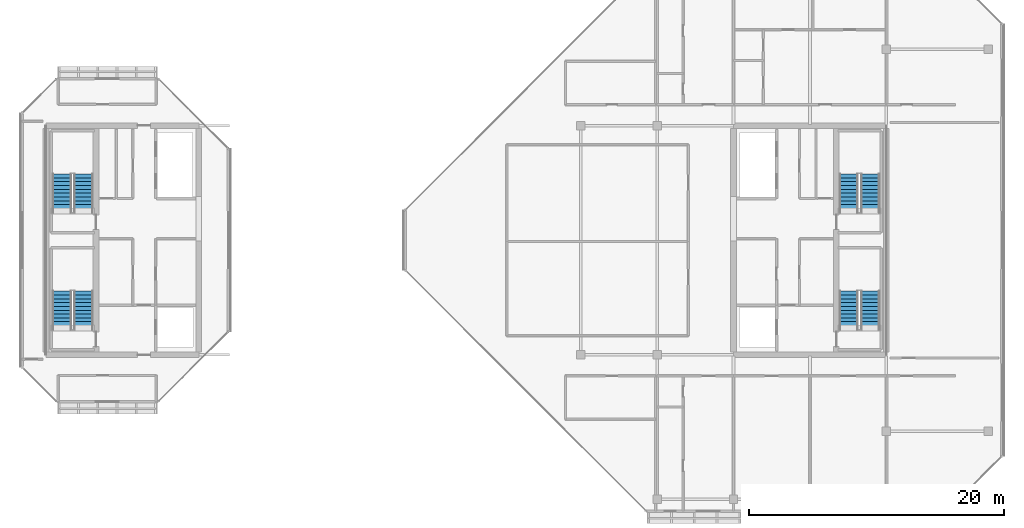
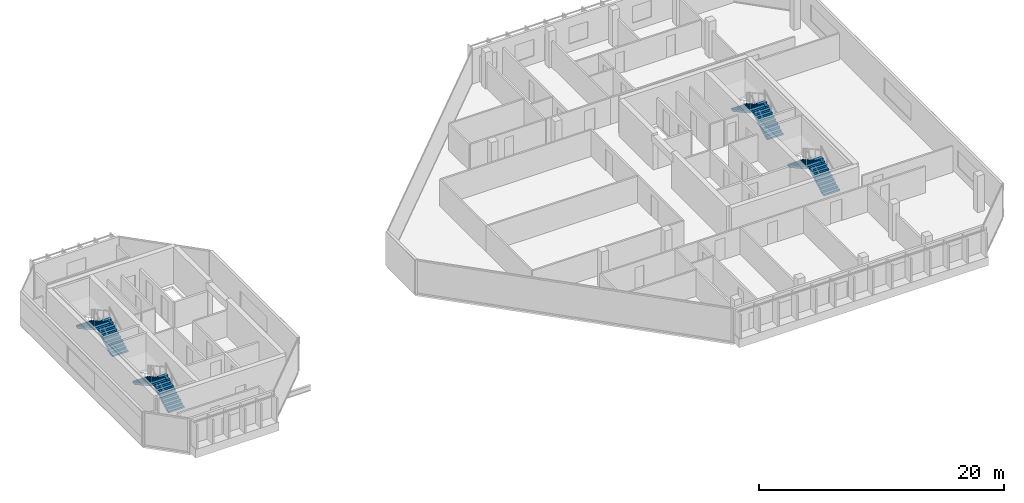
# One storey, part 25 of 28: 8 stair flights, 4 elements without a shape of their own.
"""IFC4 building model written with IfcOpenShell, lengths in metres."""

from ifc_helpers import new_model, si_unit, direction, frame, origin, place, context, subcontext, project, spatial, polyline, outline, extrude, material, type_object, element, aggregate, save


model = new_model("IFC4")

# Units and contexts
model_context = context("Model", 3, precision=1e-05, world=origin(), true_north=direction((0.0, 1.0)))
body_context = subcontext(model_context, "Body", "Model", "MODEL_VIEW")
ifc_project = project(units=[si_unit("LENGTHUNIT", "METRE"), si_unit("AREAUNIT", "SQUARE_METRE"), si_unit("VOLUMEUNIT", "CUBIC_METRE"), si_unit("PLANEANGLEUNIT", "RADIAN"), si_unit("MASSUNIT", "GRAM", prefix="KILO")], contexts=[model_context])

# Site, building, storey
site_placement = place(None, origin())
site = spatial("IfcSite", under=ifc_project, at=site_placement, CompositionType="ELEMENT")
building_placement = place(site_placement, origin())
building = spatial("IfcBuilding", under=site, at=building_placement, Name="Tanjung Sevakor Pilgrim Tower", CompositionType="ELEMENT")
storey_placement = place(building_placement, frame((0.0, 0.0, 242.550048828125)))
storey = spatial("IfcBuildingStorey", under=building, at=storey_placement, Name="L68", CompositionType="ELEMENT", Elevation=242.550048828125)

# Stair, stair flights
ifc_material_1 = material(Name="Concrete C40/50", Category="concrete")
stair_type = type_object("IfcStairType", Name="STAIR-ST-CR150", PredefinedType="HALF_TURN_STAIR", material=ifc_material_1)
stair_1_placement = place(storey_placement, origin())
stair_1 = element("IfcStair", 1, at=stair_1_placement, inside=storey, type_object=stair_type, Name="L68 West Core Exit Stair 1", PredefinedType="HALF_TURN_STAIR")
ifc_material_2 = material(Name="Concrete C40/50", Category="concrete")
stair_flight_type = type_object("IfcStairFlightType", Name="FLIGHT-ST-CR150", PredefinedType="STRAIGHT", material=ifc_material_2)
stair_flight_1_placement = place(storey_placement, frame((26.949951171875, 26.60009765625, 0.0), z_axis=(0.0, 0.0, 1.0), x_axis=(0.0, 1.0, 0.0)))
stair_flight_1 = element("IfcStairFlight", 2, at=stair_flight_1_placement, type_object=stair_flight_type, Name="TS-W1 flight 1", NumberOfRisers=11, NumberOfTreads=10, PredefinedType="STRAIGHT", RiserHeight=0.165, TreadLength=0.3, context=body_context, shape_type="SweptSolid", body=[
    extrude(outline(polyline([(0.0, 0.0), (0.0, 0.1650390625), (0.300048828125, 0.1650390625), (0.300048828125, 0.330078125), (0.60009765625, 0.330078125), (0.60009765625, 0.4951171875), (0.89990234375, 0.4951171875), (0.89990234375, 0.659912109375), (1.199951171875, 0.659912109375), (1.199951171875, 0.824951171875), (1.5, 0.824951171875), (1.5, 0.989990234375), (1.800048828125, 0.989990234375), (1.800048828125, 1.155029296875), (2.10009765625, 1.155029296875), (2.10009765625, 1.320068359375), (2.39990234375, 1.320068359375), (2.39990234375, 1.485107421875), (2.699951171875, 1.485107421875), (2.699951171875, 1.64990234375), (3.0, 1.64990234375), (3.0, 1.81494140625), (3.0, 1.467529296875), (0.331787109375, 0.0), (0.0, 0.0)])), frame((0.0, 0.75, 0.0), z_axis=(0.0, -1.0, 0.0), x_axis=(1.0, 0.0, 0.0)), (0.0, 0.0, 1.0), 1.5),
])
stair_flight_2_placement = place(storey_placement, frame((25.25, 29.60009765625, 1.81494140625), z_axis=(0.0, 0.0, 1.0), x_axis=(0.0, -1.0, 0.0)))
stair_flight_2 = element("IfcStairFlight", 3, at=stair_flight_2_placement, type_object=stair_flight_type, Name="TS-W1 flight 2", NumberOfRisers=11, NumberOfTreads=10, PredefinedType="STRAIGHT", RiserHeight=0.165, TreadLength=0.3, context=body_context, shape_type="SweptSolid", body=[
    extrude(outline(polyline([(0.0, 0.0), (0.0, 0.1650390625), (0.300048828125, 0.1650390625), (0.300048828125, 0.330078125), (0.60009765625, 0.330078125), (0.60009765625, 0.4951171875), (0.89990234375, 0.4951171875), (0.89990234375, 0.659912109375), (1.199951171875, 0.659912109375), (1.199951171875, 0.824951171875), (1.5, 0.824951171875), (1.5, 0.989990234375), (1.800048828125, 0.989990234375), (1.800048828125, 1.155029296875), (2.10009765625, 1.155029296875), (2.10009765625, 1.320068359375), (2.39990234375, 1.320068359375), (2.39990234375, 1.485107421875), (2.699951171875, 1.485107421875), (2.699951171875, 1.64990234375), (3.0, 1.64990234375), (3.0, 1.81494140625), (3.0, 1.467529296875), (0.331787109375, 0.0), (0.0, 0.0)])), frame((0.0, 0.75, 0.0), z_axis=(0.0, -1.0, 0.0), x_axis=(1.0, 0.0, 0.0)), (0.0, 0.0, 1.0), 1.5),
])
aggregate(stair_1, [stair_flight_1, stair_flight_2])

stair_2_placement = place(storey_placement, origin())
stair_2 = element("IfcStair", 4, at=stair_2_placement, inside=storey, type_object=stair_type, Name="L68 West Core Exit Stair 2", PredefinedType="HALF_TURN_STAIR")
stair_flight_3_placement = place(storey_placement, frame((26.949951171875, 35.800048828125, 0.0), z_axis=(0.0, 0.0, 1.0), x_axis=(0.0, 1.0, 0.0)))
stair_flight_3 = element("IfcStairFlight", 5, at=stair_flight_3_placement, type_object=stair_flight_type, Name="TS-W2 flight 1", NumberOfRisers=11, NumberOfTreads=10, PredefinedType="STRAIGHT", RiserHeight=0.165, TreadLength=0.3, context=body_context, shape_type="SweptSolid", body=[
    extrude(outline(polyline([(0.0, 0.0), (0.0, 0.1650390625), (0.300048828125, 0.1650390625), (0.300048828125, 0.330078125), (0.60009765625, 0.330078125), (0.60009765625, 0.4951171875), (0.89990234375, 0.4951171875), (0.89990234375, 0.659912109375), (1.199951171875, 0.659912109375), (1.199951171875, 0.824951171875), (1.5, 0.824951171875), (1.5, 0.989990234375), (1.800048828125, 0.989990234375), (1.800048828125, 1.155029296875), (2.10009765625, 1.155029296875), (2.10009765625, 1.320068359375), (2.39990234375, 1.320068359375), (2.39990234375, 1.485107421875), (2.699951171875, 1.485107421875), (2.699951171875, 1.64990234375), (3.0, 1.64990234375), (3.0, 1.81494140625), (3.0, 1.467529296875), (0.331787109375, 0.0), (0.0, 0.0)])), frame((0.0, 0.75, 0.0), z_axis=(0.0, -1.0, 0.0), x_axis=(1.0, 0.0, 0.0)), (0.0, 0.0, 1.0), 1.5),
])
stair_flight_4_placement = place(storey_placement, frame((25.25, 38.800048828125, 1.81494140625), z_axis=(0.0, 0.0, 1.0), x_axis=(0.0, -1.0, 0.0)))
stair_flight_4 = element("IfcStairFlight", 6, at=stair_flight_4_placement, type_object=stair_flight_type, Name="TS-W2 flight 2", NumberOfRisers=11, NumberOfTreads=10, PredefinedType="STRAIGHT", RiserHeight=0.165, TreadLength=0.3, context=body_context, shape_type="SweptSolid", body=[
    extrude(outline(polyline([(0.0, 0.0), (0.0, 0.1650390625), (0.300048828125, 0.1650390625), (0.300048828125, 0.330078125), (0.60009765625, 0.330078125), (0.60009765625, 0.4951171875), (0.89990234375, 0.4951171875), (0.89990234375, 0.659912109375), (1.199951171875, 0.659912109375), (1.199951171875, 0.824951171875), (1.5, 0.824951171875), (1.5, 0.989990234375), (1.800048828125, 0.989990234375), (1.800048828125, 1.155029296875), (2.10009765625, 1.155029296875), (2.10009765625, 1.320068359375), (2.39990234375, 1.320068359375), (2.39990234375, 1.485107421875), (2.699951171875, 1.485107421875), (2.699951171875, 1.64990234375), (3.0, 1.64990234375), (3.0, 1.81494140625), (3.0, 1.467529296875), (0.331787109375, 0.0), (0.0, 0.0)])), frame((0.0, 0.75, 0.0), z_axis=(0.0, -1.0, 0.0), x_axis=(1.0, 0.0, 0.0)), (0.0, 0.0, 1.0), 1.5),
])
aggregate(stair_2, [stair_flight_3, stair_flight_4])

stair_3_placement = place(storey_placement, origin())
stair_3 = element("IfcStair", 7, at=stair_3_placement, inside=storey, type_object=stair_type, Name="L68 East Core Exit Stair 1", PredefinedType="HALF_TURN_STAIR")
stair_flight_5_placement = place(storey_placement, frame((88.75, 26.60009765625, 0.0), z_axis=(0.0, 0.0, 1.0), x_axis=(0.0, 1.0, 0.0)))
stair_flight_5 = element("IfcStairFlight", 8, at=stair_flight_5_placement, type_object=stair_flight_type, Name="TS-E1 flight 1", NumberOfRisers=11, NumberOfTreads=10, PredefinedType="STRAIGHT", RiserHeight=0.165, TreadLength=0.3, context=body_context, shape_type="SweptSolid", body=[
    extrude(outline(polyline([(0.0, 0.0), (0.0, 0.1650390625), (0.300048828125, 0.1650390625), (0.300048828125, 0.330078125), (0.60009765625, 0.330078125), (0.60009765625, 0.4951171875), (0.89990234375, 0.4951171875), (0.89990234375, 0.659912109375), (1.199951171875, 0.659912109375), (1.199951171875, 0.824951171875), (1.5, 0.824951171875), (1.5, 0.989990234375), (1.800048828125, 0.989990234375), (1.800048828125, 1.155029296875), (2.10009765625, 1.155029296875), (2.10009765625, 1.320068359375), (2.39990234375, 1.320068359375), (2.39990234375, 1.485107421875), (2.699951171875, 1.485107421875), (2.699951171875, 1.64990234375), (3.0, 1.64990234375), (3.0, 1.81494140625), (3.0, 1.467529296875), (0.331787109375, 0.0), (0.0, 0.0)])), frame((0.0, 0.75, 0.0), z_axis=(0.0, -1.0, 0.0), x_axis=(1.0, 0.0, 0.0)), (0.0, 0.0, 1.0), 1.5),
])
stair_flight_6_placement = place(storey_placement, frame((87.050048828125, 29.60009765625, 1.81494140625), z_axis=(0.0, 0.0, 1.0), x_axis=(0.0, -1.0, 0.0)))
stair_flight_6 = element("IfcStairFlight", 9, at=stair_flight_6_placement, type_object=stair_flight_type, Name="TS-E1 flight 2", NumberOfRisers=11, NumberOfTreads=10, PredefinedType="STRAIGHT", RiserHeight=0.165, TreadLength=0.3, context=body_context, shape_type="SweptSolid", body=[
    extrude(outline(polyline([(0.0, 0.0), (0.0, 0.1650390625), (0.300048828125, 0.1650390625), (0.300048828125, 0.330078125), (0.60009765625, 0.330078125), (0.60009765625, 0.4951171875), (0.89990234375, 0.4951171875), (0.89990234375, 0.659912109375), (1.199951171875, 0.659912109375), (1.199951171875, 0.824951171875), (1.5, 0.824951171875), (1.5, 0.989990234375), (1.800048828125, 0.989990234375), (1.800048828125, 1.155029296875), (2.10009765625, 1.155029296875), (2.10009765625, 1.320068359375), (2.39990234375, 1.320068359375), (2.39990234375, 1.485107421875), (2.699951171875, 1.485107421875), (2.699951171875, 1.64990234375), (3.0, 1.64990234375), (3.0, 1.81494140625), (3.0, 1.467529296875), (0.331787109375, 0.0), (0.0, 0.0)])), frame((0.0, 0.75, 0.0), z_axis=(0.0, -1.0, 0.0), x_axis=(1.0, 0.0, 0.0)), (0.0, 0.0, 1.0), 1.5),
])
aggregate(stair_3, [stair_flight_5, stair_flight_6])

stair_4_placement = place(storey_placement, origin())
stair_4 = element("IfcStair", 10, at=stair_4_placement, inside=storey, type_object=stair_type, Name="L68 East Core Exit Stair 2", PredefinedType="HALF_TURN_STAIR")
stair_flight_7_placement = place(storey_placement, frame((88.75, 35.800048828125, 0.0), z_axis=(0.0, 0.0, 1.0), x_axis=(0.0, 1.0, 0.0)))
stair_flight_7 = element("IfcStairFlight", 11, at=stair_flight_7_placement, type_object=stair_flight_type, Name="TS-E2 flight 1", NumberOfRisers=11, NumberOfTreads=10, PredefinedType="STRAIGHT", RiserHeight=0.165, TreadLength=0.3, context=body_context, shape_type="SweptSolid", body=[
    extrude(outline(polyline([(0.0, 0.0), (0.0, 0.1650390625), (0.300048828125, 0.1650390625), (0.300048828125, 0.330078125), (0.60009765625, 0.330078125), (0.60009765625, 0.4951171875), (0.89990234375, 0.4951171875), (0.89990234375, 0.659912109375), (1.199951171875, 0.659912109375), (1.199951171875, 0.824951171875), (1.5, 0.824951171875), (1.5, 0.989990234375), (1.800048828125, 0.989990234375), (1.800048828125, 1.155029296875), (2.10009765625, 1.155029296875), (2.10009765625, 1.320068359375), (2.39990234375, 1.320068359375), (2.39990234375, 1.485107421875), (2.699951171875, 1.485107421875), (2.699951171875, 1.64990234375), (3.0, 1.64990234375), (3.0, 1.81494140625), (3.0, 1.467529296875), (0.331787109375, 0.0), (0.0, 0.0)])), frame((0.0, 0.75, 0.0), z_axis=(0.0, -1.0, 0.0), x_axis=(1.0, 0.0, 0.0)), (0.0, 0.0, 1.0), 1.5),
])
stair_flight_8_placement = place(storey_placement, frame((87.050048828125, 38.800048828125, 1.81494140625), z_axis=(0.0, 0.0, 1.0), x_axis=(0.0, -1.0, 0.0)))
stair_flight_8 = element("IfcStairFlight", 12, at=stair_flight_8_placement, type_object=stair_flight_type, Name="TS-E2 flight 2", NumberOfRisers=11, NumberOfTreads=10, PredefinedType="STRAIGHT", RiserHeight=0.165, TreadLength=0.3, context=body_context, shape_type="SweptSolid", body=[
    extrude(outline(polyline([(0.0, 0.0), (0.0, 0.1650390625), (0.300048828125, 0.1650390625), (0.300048828125, 0.330078125), (0.60009765625, 0.330078125), (0.60009765625, 0.4951171875), (0.89990234375, 0.4951171875), (0.89990234375, 0.659912109375), (1.199951171875, 0.659912109375), (1.199951171875, 0.824951171875), (1.5, 0.824951171875), (1.5, 0.989990234375), (1.800048828125, 0.989990234375), (1.800048828125, 1.155029296875), (2.10009765625, 1.155029296875), (2.10009765625, 1.320068359375), (2.39990234375, 1.320068359375), (2.39990234375, 1.485107421875), (2.699951171875, 1.485107421875), (2.699951171875, 1.64990234375), (3.0, 1.64990234375), (3.0, 1.81494140625), (3.0, 1.467529296875), (0.331787109375, 0.0), (0.0, 0.0)])), frame((0.0, 0.75, 0.0), z_axis=(0.0, -1.0, 0.0), x_axis=(1.0, 0.0, 0.0)), (0.0, 0.0, 1.0), 1.5),
])
aggregate(stair_4, [stair_flight_7, stair_flight_8])

save(model, "model.ifc")
